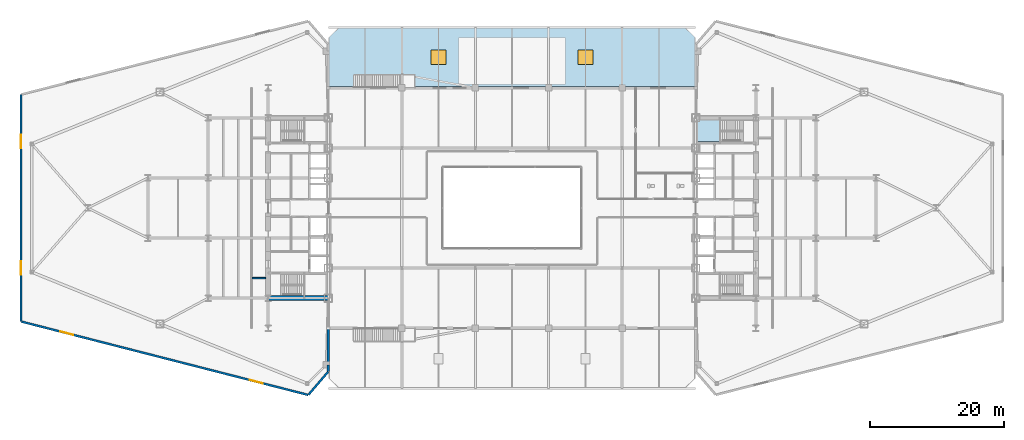
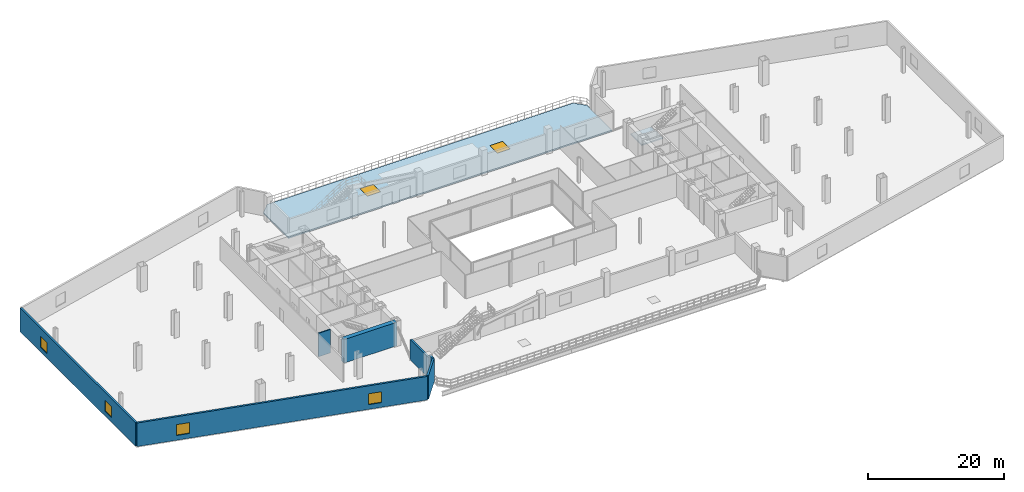
# One storey, part 17 of 27: 7 walls, 6 windows, 2 slabs, 6 openings, 1 element without a shape of its own.
"""IFC4 building model written with IfcOpenShell, lengths in metres."""

from ifc_helpers import new_model, si_unit, direction, frame, frame_2d, origin, origin_2d, place, context, subcontext, project, spatial, polyline, rectangle, outline, extrude, source, transform, mapped, material, layer, layer_set, type_object, type_shapes, element, fill, aggregate, save


model = new_model("IFC4")

# Units and contexts
model_context = context("Model", 3, precision=1e-05, world=origin(), true_north=direction((0.0, 1.0)))
body_context = subcontext(model_context, "Body", "Model", "MODEL_VIEW")
ifc_project = project(units=[si_unit("LENGTHUNIT", "METRE"), si_unit("AREAUNIT", "SQUARE_METRE"), si_unit("VOLUMEUNIT", "CUBIC_METRE"), si_unit("PLANEANGLEUNIT", "RADIAN"), si_unit("MASSUNIT", "GRAM", prefix="KILO")], contexts=[model_context])

# Site, building, storey
site_placement = place(None, origin())
site = spatial("IfcSite", under=ifc_project, at=site_placement, CompositionType="ELEMENT")
building_placement = place(site_placement, origin())
building = spatial("IfcBuilding", under=site, at=building_placement, Name="Seokmaru Belvedere", CompositionType="ELEMENT")
storey_placement = place(building_placement, frame((0.0, 0.0, 9.89990234375)))
storey = spatial("IfcBuildingStorey", under=building, at=storey_placement, Name="L02", CompositionType="ELEMENT", Elevation=9.89990234375)

# Slab, openings, windows
ifc_material_1 = material(Name="Concrete C40 (40 MPa)", Category="concrete")
ifc_layer_1 = layer(ifc_material_1, 0.239990234375)
ifc_layer_set_1 = layer_set([ifc_layer_1], Name="Concrete C40 (40 MPa)")
slab_type_1 = type_object("IfcSlabType", Name="Planted Garden Terrace Slab 240", PredefinedType="ROOF", material=ifc_layer_set_1)
slab_1_placement = place(storey_placement, frame((0.0, 0.0, -0.239990234375)))
slab_1 = element("IfcSlab", 1, at=slab_1_placement, inside=storey, type_object=slab_type_1, Name="L02 Cascading Planted Garden Terrace North", PredefinedType="ROOF", context=body_context, shape_type="SweptSolid", body=[
    extrude(outline(polyline([(-27.449951171875, 18.159912109375), (27.449951171875, 18.159912109375), (27.449951171875, 25.5), (25.949951171875, 27.0), (-25.949951171875, 27.0), (-27.449951171875, 25.5), (-27.449951171875, 18.159912109375)])), origin(), (0.0, 0.0, 1.0), 0.239990234375),
])
opening_1_placement = place(slab_1_placement, frame((-11.0, 22.580078125, -0.010009765625)))
opening_1 = element("IfcOpeningElement", 2, at=opening_1_placement, cuts=slab_1, Name="Opening SK1", PredefinedType="OPENING", context=body_context, shape_type="SweptSolid", body=[
    extrude(rectangle(XDim=2.199951171875, YDim=2.199951171875, at=origin_2d()), origin(), (0.0, 0.0, 1.0), 0.260009765625),
])
opening_2_placement = place(slab_1_placement, frame((11.0, 22.580078125, -0.010009765625)))
opening_2 = element("IfcOpeningElement", 3, at=opening_2_placement, cuts=slab_1, Name="Opening SK1", PredefinedType="OPENING", context=body_context, shape_type="SweptSolid", body=[
    extrude(rectangle(XDim=2.199951171875, YDim=2.199951171875, at=origin_2d()), origin(), (0.0, 0.0, 1.0), 0.260009765625),
])
ifc_material_2 = material(Name="Bronze Triple Insulating Glass", Category="glass")
window_type_1 = type_object("IfcWindowType", Name="Podium Terrace Structural Glass Rooflight 2200x2200", PartitioningType="SINGLE_PANEL", PredefinedType="SKYLIGHT", material=ifc_material_2)
window_1_placement = place(opening_1_placement, frame((0.0, 0.0, 0.199951171875)))
window_1 = element("IfcWindow", 4, at=window_1_placement, inside=storey, type_object=window_type_1, Name="L02 Podium Garden Rooflight 1", OverallHeight=2.199951171875, OverallWidth=2.199951171875, PartitioningType="SINGLE_PANEL", PredefinedType="SKYLIGHT", context=body_context, shape_type="SweptSolid", body=[
    extrude(rectangle(XDim=2.199951171875, YDim=2.199951171875, at=origin_2d()), origin(), (0.0, 0.0, 1.0), 0.050048828125),
])
fill(opening_1, window_1)
window_2_placement = place(opening_2_placement, frame((0.0, 0.0, 0.199951171875)))
window_2 = element("IfcWindow", 5, at=window_2_placement, inside=storey, type_object=window_type_1, Name="L02 Podium Garden Rooflight 2", OverallHeight=2.199951171875, OverallWidth=2.199951171875, PartitioningType="SINGLE_PANEL", PredefinedType="SKYLIGHT", context=body_context, shape_type="SweptSolid", body=[
    extrude(rectangle(XDim=2.199951171875, YDim=2.199951171875, at=origin_2d()), origin(), (0.0, 0.0, 1.0), 0.050048828125),
])
fill(opening_2, window_2)

# Stair, slab
stair_type = type_object("IfcStairType", Name="Cascading Podium Core Dog-Leg Stair 4500", PredefinedType="TWO_STRAIGHT_RUN_STAIR", material=ifc_material_1)
stair_placement = place(storey_placement, origin())
stair = element("IfcStair", 6, at=stair_placement, inside=storey, type_object=stair_type, Name="L02 Special Escape Stair ST-E2", PredefinedType="TWO_STRAIGHT_RUN_STAIR")
ifc_layer_2 = layer(ifc_material_1, 0.199951171875)
ifc_layer_set_2 = layer_set([ifc_layer_2], Name="Concrete C40 (40 MPa)")
slab_type_2 = type_object("IfcSlabType", Name="Reinforced Concrete Stair Landing Slab 200", PredefinedType="LANDING", material=ifc_layer_set_2)
slab_2_placement = place(storey_placement, frame((0.0, 0.0, 2.050048828125)))
slab_2 = element("IfcSlab", 7, at=slab_2_placement, type_object=slab_type_2, Name="ST-E2 landing 1", PredefinedType="LANDING", context=body_context, shape_type="SweptSolid", body=[
    extrude(outline(polyline([(27.760009765625, 9.949951171875), (31.320068359375, 9.949951171875), (31.320068359375, 13.239990234375), (27.760009765625, 13.239990234375), (27.760009765625, 9.949951171875)])), origin(), (0.0, 0.0, 1.0), 0.199951171875),
])
aggregate(stair, [slab_2])

# Walls
ifc_material_3 = material(Name="Fire-Rated Gypsum Shaftwall")
ifc_layer_3 = layer(ifc_material_3, 0.199951171875)
ifc_layer_set_3 = layer_set([ifc_layer_3], Name="Fire-Rated Gypsum Shaftwall")
wall_type_1 = type_object("IfcWallType", Name="Inter-Tenancy Fire Compartment Partition 200", PredefinedType="PARTITIONING", material=ifc_layer_set_3)
wall_1_placement = place(storey_placement, frame((-38.9150390625, -10.5, 0.0), z_axis=(0.0, 0.0, 1.0), x_axis=(1.0, 0.0, 0.0)))
element("IfcWall", 8, at=wall_1_placement, inside=storey, type_object=wall_type_1, Name="L02 Interior Partition 001", PredefinedType="PARTITIONING", context=body_context, shape_type="SweptSolid", body=[
    extrude(rectangle(XDim=2.03515625, YDim=0.199951171875, at=frame_2d((1.017578125, 0.0))), origin(), (0.0, 0.0, 1.0), 4.22021484375),
])
ifc_material_4 = material(Name="Concrete C60 (60 MPa)", Category="concrete")
ifc_layer_4 = layer(ifc_material_4, 0.75)
ifc_layer_set_4 = layer_set([ifc_layer_4], Name="Concrete C60 (60 MPa)")
wall_type_2 = type_object("IfcWallType", Name="Lower Tower Reinforced Concrete Core Wall 750", PredefinedType="SHEAR", material=ifc_layer_set_4)
wall_2_placement = place(storey_placement, frame((-36.5, -13.5, 0.0), z_axis=(0.0, 0.0, 1.0), x_axis=(1.0, 0.0, 0.0)))
element("IfcWall", 9, at=wall_2_placement, inside=storey, type_object=wall_type_2, Name="L02 West South Core Wall", PredefinedType="SHEAR", context=body_context, shape_type="SweptSolid", body=[
    extrude(rectangle(XDim=9.0, YDim=0.75, at=frame_2d((4.5, 0.0))), origin(), (0.0, 0.0, 1.0), 4.22021484375),
])

# Wall, openings, windows
ifc_layer_5 = layer(ifc_material_1, 0.320068359375)
ifc_layer_set_5 = layer_set([ifc_layer_5], Name="Concrete C40 (40 MPa)")
wall_type_3 = type_object("IfcWallType", Name="Podium Terrace Insulated Wall 320", PredefinedType="SOLIDWALL", material=ifc_layer_set_5)
wall_3_placement = place(storey_placement, frame((-73.461181640625, -17.010009765625, 0.0), z_axis=(0.0, 0.0, 1.0), x_axis=(0.968803566014, -0.247829882134, 0.0)))
wall_3 = element("IfcWall", 10, at=wall_3_placement, inside=storey, type_object=wall_type_3, Name="L02 Exterior Podium Wall 01", PredefinedType="SOLIDWALL", context=body_context, shape_type="SweptSolid", body=[
    extrude(rectangle(XDim=44.304443359375, YDim=0.320068359375, at=frame_2d((22.15234375, 0.0))), origin(), (0.0, 0.0, 1.0), 4.22021484375),
])
opening_3_placement = place(wall_3_placement, frame((6.0, 0.0, 0.85009765625)))
opening_3 = element("IfcOpeningElement", 11, at=opening_3_placement, cuts=wall_3, Name="Opening WN7", PredefinedType="OPENING", context=body_context, shape_type="SweptSolid", body=[
    extrude(rectangle(XDim=2.0, YDim=1.949951171875, at=frame_2d((1.0, 0.97509765625))), frame((0.0, 0.169921875, 0.0), z_axis=(0.0, -1.0, 0.0), x_axis=(1.0, 0.0, 0.0)), (0.0, 0.0, 1.0), 0.340087890625),
])
opening_4_placement = place(wall_3_placement, frame((35.304931640625, 0.0, 0.85009765625)))
opening_4 = element("IfcOpeningElement", 12, at=opening_4_placement, cuts=wall_3, Name="Opening WN7", PredefinedType="OPENING", context=body_context, shape_type="SweptSolid", body=[
    extrude(rectangle(XDim=2.0, YDim=1.949951171875, at=frame_2d((1.0, 0.97509765625))), frame((0.0, 0.169921875, 0.0), z_axis=(0.0, -1.0, 0.0), x_axis=(1.0, 0.0, 0.0)), (0.0, 0.0, 1.0), 0.340087890625),
])
window_type_2 = type_object("IfcWindowType", Name="Podium Wing Corner Window 2000x1950", PartitioningType="SINGLE_PANEL", PredefinedType="WINDOW", material=ifc_material_2)
shared_shape = source(origin(), body_context, "Body", "SweptSolid", [
    extrude(rectangle(XDim=2.0, YDim=1.949951171875, at=frame_2d((1.0, 0.97509765625))), frame((0.0, 0.030029296875, 0.0), z_axis=(0.0, -1.0, 0.0), x_axis=(1.0, 0.0, 0.0)), (0.0, 0.0, 1.0), 0.06005859375),
])
type_shapes(window_type_2, [shared_shape])
window_3_placement = place(opening_3_placement, origin())
window_3 = element("IfcWindow", 13, at=window_3_placement, inside=storey, type_object=window_type_2, Name="L02 Podium Gallery Window 0-1", OverallHeight=1.949951171875, OverallWidth=2.0, PartitioningType="SINGLE_PANEL", PredefinedType="WINDOW", context=body_context, shape_type="MappedRepresentation", body=[
    mapped(shared_shape, transform((0.0, 0.0, 0.0), scale=1.0)),
])
fill(opening_3, window_3)
window_4_placement = place(opening_4_placement, origin())
window_4 = element("IfcWindow", 14, at=window_4_placement, inside=storey, type_object=window_type_2, Name="L02 Podium Gallery Window 0-2", OverallHeight=1.949951171875, OverallWidth=2.0, PartitioningType="SINGLE_PANEL", PredefinedType="WINDOW", context=body_context, shape_type="MappedRepresentation", body=[
    mapped(shared_shape, transform((0.0, 0.0, 0.0), scale=1.0)),
])
fill(opening_4, window_4)

# Walls
wall_4_placement = place(storey_placement, frame((-30.47412109375, -27.969482421875, 0.0), z_axis=(0.0, 0.0, 1.0), x_axis=(0.650862388074, 0.759195726931, 0.0)))
element("IfcWall", 15, at=wall_4_placement, inside=storey, type_object=wall_type_3, Name="L02 Exterior Podium Wall 02", PredefinedType="SOLIDWALL", context=body_context, shape_type="SweptSolid", body=[
    extrude(rectangle(XDim=4.52978515625, YDim=0.320068359375, at=frame_2d((2.264892578125, 0.0))), origin(), (0.0, 0.0, 1.0), 4.22021484375),
])
wall_5_placement = place(storey_placement, frame((-27.5, -24.449951171875, 0.0), z_axis=(0.0, 0.0, 1.0), x_axis=(0.0, 1.0, 0.0)))
element("IfcWall", 16, at=wall_5_placement, inside=storey, type_object=wall_type_3, Name="L02 Exterior Podium Spine Wall 03S", PredefinedType="SOLIDWALL", context=body_context, shape_type="SweptSolid", body=[
    extrude(rectangle(XDim=0.973876953125, YDim=0.320068359375, at=frame_2d((0.48681640625, 0.0))), origin(), (0.0, 0.0, 1.0), 4.22021484375),
])
wall_6_placement = place(storey_placement, frame((-27.5, -23.47607421875, 0.0), z_axis=(0.0, 0.0, 1.0), x_axis=(0.0, 1.0, 0.0)))
element("IfcWall", 17, at=wall_6_placement, inside=storey, type_object=wall_type_3, Name="L02 Exterior Podium Spine Wall 03S Part 2", PredefinedType="SOLIDWALL", context=body_context, shape_type="SweptSolid", body=[
    extrude(rectangle(XDim=5.47607421875, YDim=0.320068359375, at=frame_2d((2.738037109375, 0.0))), origin(), (0.0, 0.0, 1.0), 3.632080078125),
])

# Wall, openings, windows
wall_7_placement = place(storey_placement, frame((-73.5, 16.9599609375, 0.0), z_axis=(0.0, 0.0, 1.0), x_axis=(0.0, -1.0, 0.0)))
wall_7 = element("IfcWall", 18, at=wall_7_placement, inside=storey, type_object=wall_type_3, Name="L02 Exterior Podium Wall 16", PredefinedType="SOLIDWALL", context=body_context, shape_type="SweptSolid", body=[
    extrude(rectangle(XDim=33.919921875, YDim=0.320068359375, at=frame_2d((16.9599609375, 0.0))), origin(), (0.0, 0.0, 1.0), 4.22021484375),
])
opening_5_placement = place(wall_7_placement, frame((6.0, 0.0, 0.85009765625)))
opening_5 = element("IfcOpeningElement", 19, at=opening_5_placement, cuts=wall_7, Name="Opening WN7", PredefinedType="OPENING", context=body_context, shape_type="SweptSolid", body=[
    extrude(rectangle(XDim=2.0, YDim=1.949951171875, at=frame_2d((1.0, 0.97509765625))), frame((0.0, 0.169921875, 0.0), z_axis=(0.0, -1.0, 0.0), x_axis=(1.0, 0.0, 0.0)), (0.0, 0.0, 1.0), 0.340087890625),
])
opening_6_placement = place(wall_7_placement, frame((24.919921875, 0.0, 0.85009765625)))
opening_6 = element("IfcOpeningElement", 20, at=opening_6_placement, cuts=wall_7, Name="Opening WN7", PredefinedType="OPENING", context=body_context, shape_type="SweptSolid", body=[
    extrude(rectangle(XDim=2.0, YDim=1.949951171875, at=frame_2d((1.0, 0.97509765625))), frame((0.0, 0.169921875, 0.0), z_axis=(0.0, -1.0, 0.0), x_axis=(1.0, 0.0, 0.0)), (0.0, 0.0, 1.0), 0.340087890625),
])
window_5_placement = place(opening_5_placement, origin())
window_5 = element("IfcWindow", 21, at=window_5_placement, inside=storey, type_object=window_type_2, Name="L02 Podium Gallery Window 15-1", OverallHeight=1.949951171875, OverallWidth=2.0, PartitioningType="SINGLE_PANEL", PredefinedType="WINDOW", context=body_context, shape_type="MappedRepresentation", body=[
    mapped(shared_shape, transform((0.0, 0.0, 0.0), scale=1.0)),
])
fill(opening_5, window_5)
window_6_placement = place(opening_6_placement, origin())
window_6 = element("IfcWindow", 22, at=window_6_placement, inside=storey, type_object=window_type_2, Name="L02 Podium Gallery Window 15-2", OverallHeight=1.949951171875, OverallWidth=2.0, PartitioningType="SINGLE_PANEL", PredefinedType="WINDOW", context=body_context, shape_type="MappedRepresentation", body=[
    mapped(shared_shape, transform((0.0, 0.0, 0.0), scale=1.0)),
])
fill(opening_6, window_6)

save(model, "model.ifc")
